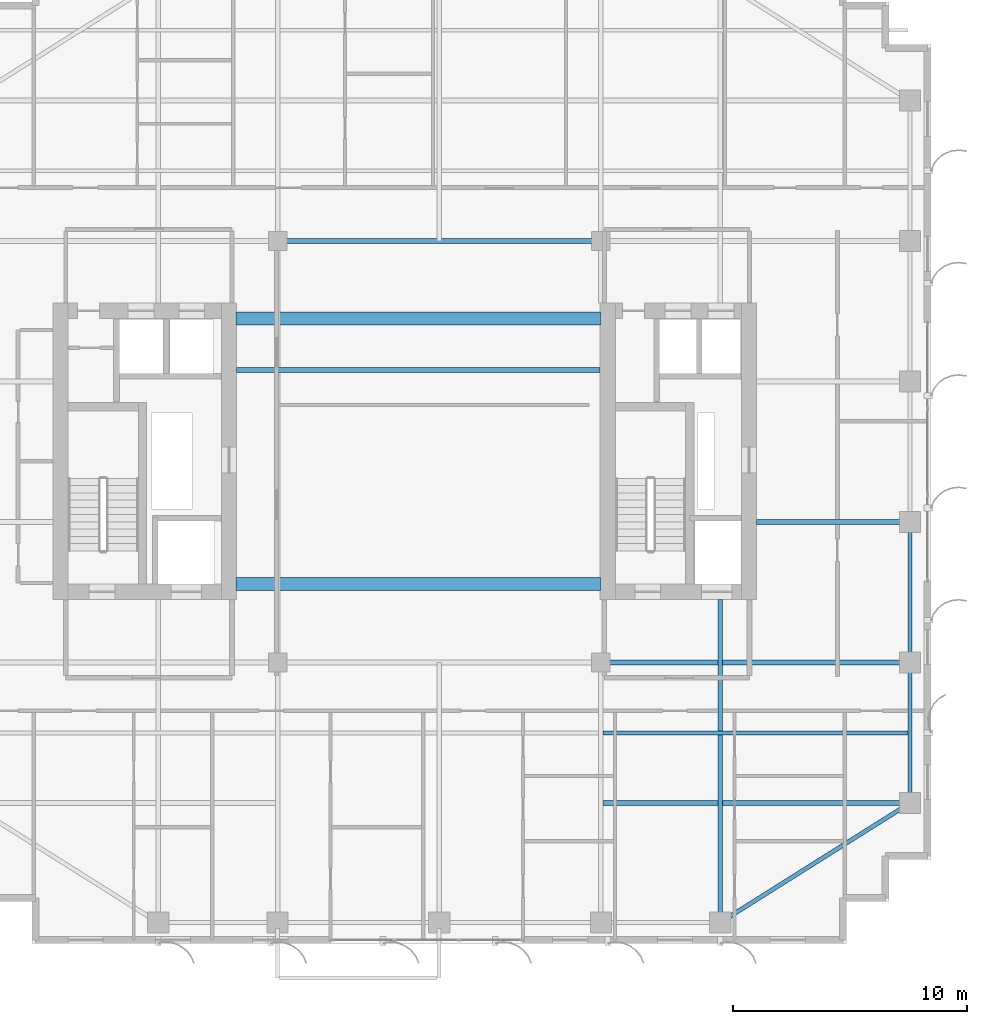
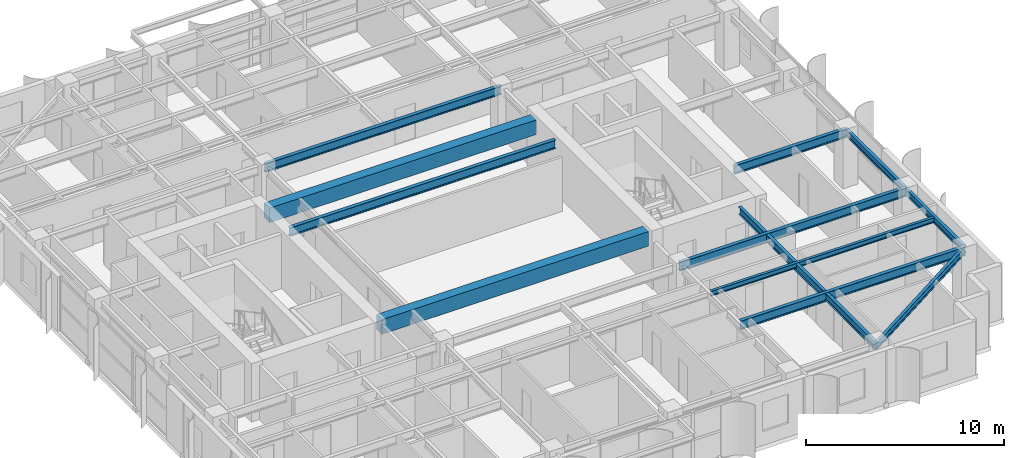
# One storey, part 8 of 21: 12 beams.
"""IFC4 building model written with IfcOpenShell, lengths in metres."""

from ifc_helpers import new_model, si_unit, direction, frame, origin, origin_2d, place, context, subcontext, project, spatial, rectangle, i_section, extrude, source, transform, mapped, material, material_profile, profile_set, type_object, element, save


model = new_model("IFC4")

# Units and contexts
model_context = context("Model", 3, precision=1e-05, world=origin(), true_north=direction((0.0, 1.0)))
body_context = subcontext(model_context, "Body", "Model", "MODEL_VIEW")
ifc_project = project(units=[si_unit("LENGTHUNIT", "METRE"), si_unit("AREAUNIT", "SQUARE_METRE"), si_unit("VOLUMEUNIT", "CUBIC_METRE"), si_unit("PLANEANGLEUNIT", "RADIAN"), si_unit("MASSUNIT", "GRAM", prefix="KILO")], contexts=[model_context])

# Site, building, storey
site_placement = place(None, origin())
site = spatial("IfcSite", under=ifc_project, at=site_placement, CompositionType="ELEMENT")
building_placement = place(site_placement, origin())
building = spatial("IfcBuilding", under=site, at=building_placement, Name="Khoralis Quay Care Tower", CompositionType="ELEMENT")
storey_placement = place(building_placement, frame((0.0, 0.0, 159.300048828125)))
storey = spatial("IfcBuildingStorey", under=building, at=storey_placement, Name="L41", CompositionType="ELEMENT", Elevation=159.300048828125)

# Beams
ifc_material_1 = material(Name="Concrete C65/80", Category="concrete")
ifc_material_profile_1 = material_profile(ifc_material_1, rectangle(XDim=0.550048828125, YDim=0.89990234375, at=origin_2d()), Name="Concrete C65/80")
ifc_profile_set_1 = profile_set([ifc_material_profile_1], Name="Concrete C65/80")
beam_type_1 = type_object("IfcBeamType", Name="CB-RC550X900", PredefinedType="LINTEL", material=ifc_profile_set_1)
shared_shape_1 = source(origin(), body_context, "Body", "SweptSolid", [
    extrude(rectangle(XDim=0.550048828125, YDim=0.89990234375, at=origin_2d()), origin(), (0.0, 0.0, 1.0), 15.579833984375),
])
for number, where, z_axis, x_axis, name in (
    (1, (15.320068359375, 15.35009765625, 2.889892578125), (1.0, 0.0, 0.0), (0.0, 1.0, 0.0), "L41 South Core Coupling Lintel"),
    (2, (15.320068359375, 26.699951171875, 2.889892578125), (1.0, 0.0, 0.0), (0.0, 1.0, 0.0), "L41 North Core Coupling Lintel"),
):
    element("IfcBeam", number, at=place(storey_placement, frame(where, z_axis=z_axis, x_axis=x_axis)), inside=storey, type_object=beam_type_1, Name=name, PredefinedType="LINTEL", context=body_context, shape_type="MappedRepresentation", body=[
        mapped(shared_shape_1, transform((0.0, 0.0, 0.0), scale=1.0)),
    ])
ifc_material_2 = material(Name="Steel S355", Category="steel")
ifc_material_profile_2 = material_profile(ifc_material_2, i_section(OverallWidth=0.179931640625, OverallDepth=0.39990234375, WebThickness=0.008544921875, FlangeThickness=0.013427734375, FilletRadius=0.02099609375, at=origin_2d()), Name="Steel S355")
ifc_profile_set_2 = profile_set([ifc_material_profile_2], Name="Steel S355")
beam_type_2 = type_object("IfcBeamType", Name="BM-IPE400", PredefinedType="SPANDREL", material=ifc_profile_set_2)
shared_shape_2 = source(origin(), body_context, "Body", "SweptSolid", [
    extrude(i_section(OverallWidth=0.179931640625, OverallDepth=0.39990234375, WebThickness=0.008544921875, FlangeThickness=0.013427734375, FilletRadius=0.02099609375, at=origin_2d()), origin(), (0.0, 0.0, 1.0), 6.0),
])
for number, where, z_axis, x_axis, name in (
    (3, (44.10009765625, 6.0, 3.139892578125), (0.0, 1.0, 0.0), (-1.0, 0.0, 0.0), "BM-TSP-L41-14"),
    (4, (44.10009765625, 12.0, 3.139892578125), (0.0, 1.0, 0.0), (-1.0, 0.0, 0.0), "BM-TSP-L41-15"),
):
    element("IfcBeam", number, at=place(storey_placement, frame(where, z_axis=z_axis, x_axis=x_axis)), inside=storey, type_object=beam_type_2, Name=name, PredefinedType="SPANDREL", context=body_context, shape_type="MappedRepresentation", body=[
        mapped(shared_shape_2, transform((0.0, 0.0, 0.0), scale=1.0)),
    ])
shared_shape_3 = source(origin(), body_context, "Body", "SweptSolid", [
    extrude(i_section(OverallWidth=0.179931640625, OverallDepth=0.39990234375, WebThickness=0.008544921875, FlangeThickness=0.013427734375, FilletRadius=0.02099609375, at=origin_2d()), origin(), (0.0, 0.0, 1.0), 9.572021484375),
])
beam_1_placement = place(storey_placement, frame((36.0, 0.89990234375, 3.139892578125), z_axis=(0.846231136359, 0.532815975602, 0.0), x_axis=(-0.532815975602, 0.846231136359, 0.0)))
element("IfcBeam", 5, at=beam_1_placement, inside=storey, type_object=beam_type_2, Name="BM-TCR-L41-20", PredefinedType="SPANDREL", context=body_context, shape_type="MappedRepresentation", body=[
    mapped(shared_shape_3, transform((0.0, 0.0, 0.0), scale=1.0)),
])
ifc_material_profile_3 = material_profile(ifc_material_2, i_section(OverallWidth=0.208984375, OverallDepth=0.532958984375, WebThickness=0.01025390625, FlangeThickness=0.015625, FilletRadius=0.01611328125, at=origin_2d()), Name="Steel S355")
ifc_profile_set_3 = profile_set([ifc_material_profile_3], Name="Steel S355")
beam_type_3 = type_object("IfcBeamType", Name="BM-W530X92", PredefinedType="BEAM", material=ifc_profile_set_3)
shared_shape_4 = source(origin(), body_context, "Body", "SweptSolid", [
    extrude(i_section(OverallWidth=0.208984375, OverallDepth=0.532958984375, WebThickness=0.01025390625, FlangeThickness=0.015625, FilletRadius=0.01611328125, at=origin_2d()), origin(), (0.0, 0.0, 1.0), 13.1162109375),
])
beam_2_placement = place(storey_placement, frame((30.98388671875, 6.0, 3.073486328125), z_axis=(1.0, 0.0, 0.0), x_axis=(0.0, 1.0, 0.0)))
element("IfcBeam", 6, at=beam_2_placement, inside=storey, type_object=beam_type_3, Name="BM-TGXE-L41-60", PredefinedType="BEAM", context=body_context, shape_type="MappedRepresentation", body=[
    mapped(shared_shape_4, transform((0.0, 0.0, 0.0), scale=1.0)),
])
shared_shape_5 = source(origin(), body_context, "Body", "SweptSolid", [
    extrude(i_section(OverallWidth=0.208984375, OverallDepth=0.532958984375, WebThickness=0.01025390625, FlangeThickness=0.015625, FilletRadius=0.01611328125, at=origin_2d()), origin(), (0.0, 0.0, 1.0), 13.2001953125),
])
beam_3_placement = place(storey_placement, frame((30.89990234375, 12.0, 3.073486328125), z_axis=(1.0, 0.0, 0.0), x_axis=(0.0, 1.0, 0.0)))
element("IfcBeam", 7, at=beam_3_placement, inside=storey, type_object=beam_type_3, Name="BM-TGXE-L41-120", PredefinedType="BEAM", context=body_context, shape_type="MappedRepresentation", body=[
    mapped(shared_shape_5, transform((0.0, 0.0, 0.0), scale=1.0)),
])
shared_shape_6 = source(origin(), body_context, "Body", "SweptSolid", [
    extrude(i_section(OverallWidth=0.208984375, OverallDepth=0.532958984375, WebThickness=0.01025390625, FlangeThickness=0.015625, FilletRadius=0.01611328125, at=origin_2d()), origin(), (0.0, 0.0, 1.0), 6.552001953125),
])
beam_4_placement = place(storey_placement, frame((37.548095703125, 18.0, 3.073486328125), z_axis=(1.0, 0.0, 0.0), x_axis=(0.0, 1.0, 0.0)))
element("IfcBeam", 8, at=beam_4_placement, inside=storey, type_object=beam_type_3, Name="BM-TGXE-L41-180", PredefinedType="BEAM", context=body_context, shape_type="MappedRepresentation", body=[
    mapped(shared_shape_6, transform((0.0, 0.0, 0.0), scale=1.0)),
])
shared_shape_7 = source(origin(), body_context, "Body", "SweptSolid", [
    extrude(i_section(OverallWidth=0.208984375, OverallDepth=0.532958984375, WebThickness=0.01025390625, FlangeThickness=0.015625, FilletRadius=0.01611328125, at=origin_2d()), origin(), (0.0, 0.0, 1.0), 13.7998046875),
])
beam_5_placement = place(storey_placement, frame((17.10009765625, 30.0, 3.073486328125), z_axis=(1.0, 0.0, 0.0), x_axis=(0.0, 1.0, 0.0)))
element("IfcBeam", 9, at=beam_5_placement, inside=storey, type_object=beam_type_3, Name="BM-TGCC-L41-300", PredefinedType="BEAM", context=body_context, shape_type="MappedRepresentation", body=[
    mapped(shared_shape_7, transform((0.0, 0.0, 0.0), scale=1.0)),
])
shared_shape_8 = source(origin(), body_context, "Body", "SweptSolid", [
    extrude(i_section(OverallWidth=0.208984375, OverallDepth=0.532958984375, WebThickness=0.01025390625, FlangeThickness=0.015625, FilletRadius=0.01611328125, at=origin_2d()), origin(), (0.0, 0.0, 1.0), 15.524169921875),
])
beam_6_placement = place(storey_placement, frame((15.347900390625, 24.5, 3.073486328125), z_axis=(1.0, 0.0, 0.0), x_axis=(0.0, 1.0, 0.0)))
element("IfcBeam", 10, at=beam_6_placement, inside=storey, type_object=beam_type_3, Name="BM-TGCC-L41-245", PredefinedType="BEAM", context=body_context, shape_type="MappedRepresentation", body=[
    mapped(shared_shape_8, transform((0.0, 0.0, 0.0), scale=1.0)),
])
ifc_material_profile_4 = material_profile(ifc_material_2, i_section(OverallWidth=0.19189453125, OverallDepth=0.462890625, WebThickness=0.010498046875, FlangeThickness=0.017578125, FilletRadius=0.014892578125, at=origin_2d()), Name="Steel S355")
ifc_profile_set_4 = profile_set([ifc_material_profile_4], Name="Steel S355")
beam_type_4 = type_object("IfcBeamType", Name="BM-W460X89", PredefinedType="BEAM", material=ifc_profile_set_4)
shared_shape_9 = source(origin(), body_context, "Body", "SweptSolid", [
    extrude(i_section(OverallWidth=0.19189453125, OverallDepth=0.462890625, WebThickness=0.010498046875, FlangeThickness=0.017578125, FilletRadius=0.014892578125, at=origin_2d()), origin(), (0.0, 0.0, 1.0), 13.802001953125),
])
beam_7_placement = place(storey_placement, frame((36.0, 0.89990234375, 3.1083984375), z_axis=(0.0, 1.0, 0.0), x_axis=(-1.0, 0.0, 0.0)))
element("IfcBeam", 11, at=beam_7_placement, inside=storey, type_object=beam_type_4, Name="BM-TGYS-L41-360", PredefinedType="BEAM", context=body_context, shape_type="MappedRepresentation", body=[
    mapped(shared_shape_9, transform((0.0, 0.0, 0.0), scale=1.0)),
])
ifc_material_profile_5 = material_profile(ifc_material_2, i_section(OverallWidth=0.1650390625, OverallDepth=0.31005859375, WebThickness=0.005859375, FlangeThickness=0.009765625, FilletRadius=0.011962890625, at=origin_2d()), Name="Steel S355")
ifc_profile_set_5 = profile_set([ifc_material_profile_5], Name="Steel S355")
beam_type_5 = type_object("IfcBeamType", Name="BM-W310X39", PredefinedType="JOIST", material=ifc_profile_set_5)
shared_shape_10 = source(origin(), body_context, "Body", "SweptSolid", [
    extrude(i_section(OverallWidth=0.1650390625, OverallDepth=0.31005859375, WebThickness=0.005859375, FlangeThickness=0.009765625, FilletRadius=0.011962890625, at=origin_2d()), origin(), (0.0, 0.0, 1.0), 13.0400390625),
])
beam_8_placement = place(storey_placement, frame((30.98388671875, 9.0, 3.18505859375), z_axis=(1.0, 0.0, 0.0), x_axis=(0.0, 1.0, 0.0)))
element("IfcBeam", 12, at=beam_8_placement, inside=storey, type_object=beam_type_5, Name="BM-TJS-L41-24", PredefinedType="JOIST", context=body_context, shape_type="MappedRepresentation", body=[
    mapped(shared_shape_10, transform((0.0, 0.0, 0.0), scale=1.0)),
])

save(model, "model.ifc")
